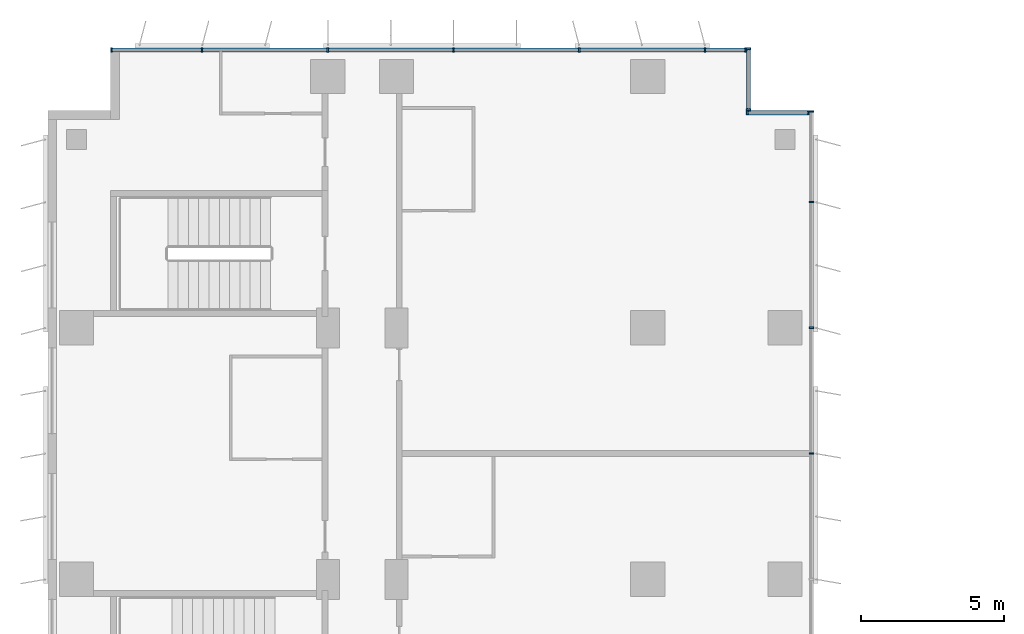
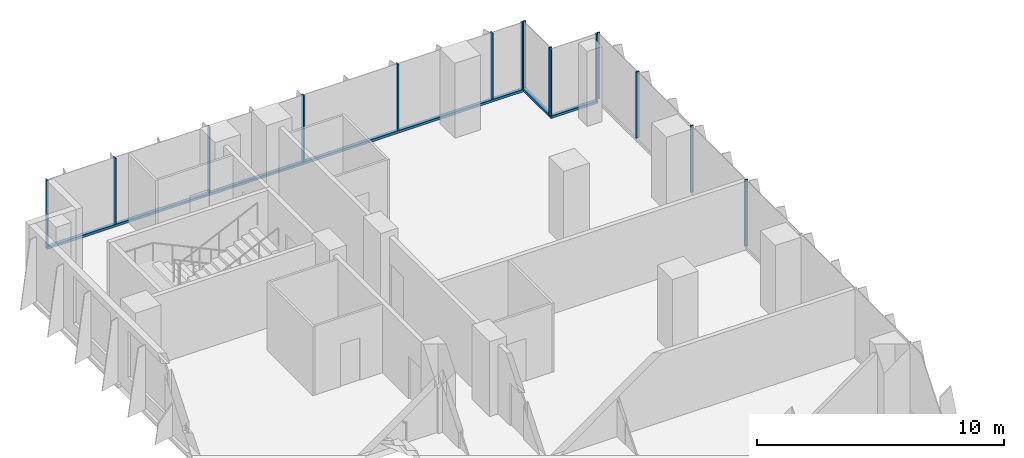
# One storey, part 9 of 22: 18 members, 4 elements without a shape of their own.
"""IFC4 building model written with IfcOpenShell, lengths in metres."""

from ifc_helpers import new_model, si_unit, direction, frame, origin, origin_2d, place, context, subcontext, project, spatial, rectangle, extrude, source, transform, mapped, material, material_profile, profile_set, type_object, element, aggregate, save


model = new_model("IFC4")

# Units and contexts
model_context = context("Model", 3, precision=1e-05, world=origin(), true_north=direction((0.0, 1.0)))
body_context = subcontext(model_context, "Body", "Model", "MODEL_VIEW")
ifc_project = project(units=[si_unit("LENGTHUNIT", "METRE"), si_unit("AREAUNIT", "SQUARE_METRE"), si_unit("VOLUMEUNIT", "CUBIC_METRE"), si_unit("PLANEANGLEUNIT", "RADIAN"), si_unit("MASSUNIT", "GRAM", prefix="KILO")], contexts=[model_context])

# Site, building, storey
site_placement = place(None, origin())
site = spatial("IfcSite", under=ifc_project, at=site_placement, CompositionType="ELEMENT")
building_placement = place(site_placement, origin())
building = spatial("IfcBuilding", under=site, at=building_placement, Name="Kemantara Hotel Tower", CompositionType="ELEMENT")
storey_placement = place(building_placement, frame((0.0, 0.0, 125.89990234375)))
storey = spatial("IfcBuildingStorey", under=building, at=storey_placement, Name="L30", CompositionType="ELEMENT", Elevation=125.89990234375)

# Curtain wall, member
ifc_material_1 = material(Name="Low-E tinted double insulated glass 36 mm", Category="glass")
curtain_wall_type = type_object("IfcCurtainWallType", Name="TOWER CURTAIN WALL, FRONT FACES", PredefinedType="USERDEFINED", material=ifc_material_1)
curtain_wall_1_placement = place(storey_placement, origin())
curtain_wall_1 = element("IfcCurtainWall", 1, at=curtain_wall_1_placement, inside=storey, type_object=curtain_wall_type, Name="CW4 L30 T2-R01-1", ObjectType="TOWER CURTAIN WALL, FRONT FACES", PredefinedType="USERDEFINED")
ifc_material_2 = material(Name="Aluminium 6063-T6 bronze anodised", Category="aluminium")
ifc_material_profile_1 = material_profile(ifc_material_2, rectangle(XDim=0.14990234375, YDim=0.1201171875, at=origin_2d()), Name="TOWER CURTAIN WALL, FRONT FACES TRANSOM")
ifc_profile_set_1 = profile_set([ifc_material_profile_1], Name="Aluminium 6063-T6 bronze anodised")
member_type_1 = type_object("IfcMemberType", Name="TOWER CURTAIN WALL, FRONT FACES TRANSOM", PredefinedType="USERDEFINED", material=ifc_profile_set_1)
member_1_placement = place(storey_placement, frame((24.449951171875, 81.125, 0.06005859375), z_axis=(-1.0, 0.0, 0.0), x_axis=(0.0, -1.0, 0.0)))
member_1 = element("IfcMember", 2, at=member_1_placement, type_object=member_type_1, Name="CW4 sill transom T2-R01-1", ObjectType="TRANSOM", PredefinedType="USERDEFINED", context=body_context, shape_type="SweptSolid", body=[
    extrude(rectangle(XDim=0.14990234375, YDim=0.1201171875, at=origin_2d()), origin(), (0.0, 0.0, 1.0), 22.25),
])

curtain_wall_2_placement = place(storey_placement, origin())
curtain_wall_2 = element("IfcCurtainWall", 3, at=curtain_wall_2_placement, inside=storey, type_object=curtain_wall_type, Name="CW4 L30 T2-R00-1", ObjectType="TOWER CURTAIN WALL, FRONT FACES", PredefinedType="USERDEFINED")
member_2_placement = place(storey_placement, frame((24.52490234375, 79.0, 0.06005859375), z_axis=(0.0, 1.0, 0.0), x_axis=(-1.0, 0.0, 0.0)))
member_2 = element("IfcMember", 4, at=member_2_placement, type_object=member_type_1, Name="CW4 sill transom T2-R00-1", ObjectType="TRANSOM", PredefinedType="USERDEFINED", context=body_context, shape_type="SweptSolid", body=[
    extrude(rectangle(XDim=0.14990234375, YDim=0.1201171875, at=origin_2d()), origin(), (0.0, 0.0, 1.0), 2.199951171875),
])

curtain_wall_3_placement = place(storey_placement, origin())
curtain_wall_3 = element("IfcCurtainWall", 5, at=curtain_wall_3_placement, inside=storey, type_object=curtain_wall_type, Name="CW4 L30 T2-R15-1", ObjectType="TOWER CURTAIN WALL, FRONT FACES", PredefinedType="USERDEFINED")
member_3_placement = place(storey_placement, frame((26.64990234375, 78.925048828125, 0.06005859375), z_axis=(-1.0, 0.0, 0.0), x_axis=(0.0, -1.0, 0.0)))
member_3 = element("IfcMember", 6, at=member_3_placement, type_object=member_type_1, Name="CW4 sill transom T2-R15-1", ObjectType="TRANSOM", PredefinedType="USERDEFINED", context=body_context, shape_type="SweptSolid", body=[
    extrude(rectangle(XDim=0.14990234375, YDim=0.1201171875, at=origin_2d()), origin(), (0.0, 0.0, 1.0), 2.199951171875),
])

# Member
ifc_material_profile_2 = material_profile(ifc_material_2, rectangle(XDim=0.14990234375, YDim=0.06005859375, at=origin_2d()), Name="TOWER CURTAIN WALL, FRONT FACES MULLION")
ifc_profile_set_2 = profile_set([ifc_material_profile_2], Name="Aluminium 6063-T6 bronze anodised")
member_type_2 = type_object("IfcMemberType", Name="TOWER CURTAIN WALL, FRONT FACES MULLION", PredefinedType="MULLION", material=ifc_profile_set_2)
shared_shape = source(origin(), body_context, "Body", "SweptSolid", [
    extrude(rectangle(XDim=0.14990234375, YDim=0.06005859375, at=origin_2d()), origin(), (0.0, 0.0, 1.0), 3.280029296875),
])
member_4_placement = place(storey_placement, frame((24.419921875, 81.125, 0.1201171875), z_axis=(0.0, 0.0, 1.0), x_axis=(0.0, -1.0, 0.0)))
member_4 = element("IfcMember", 7, at=member_4_placement, type_object=member_type_2, Name="CW4 mullion T2-R01-1.1", PredefinedType="MULLION", context=body_context, shape_type="MappedRepresentation", body=[
    mapped(shared_shape, transform((0.0, 0.0, 0.0))),
])

member_5_placement = place(storey_placement, frame((23.0, 81.125, 0.1201171875), z_axis=(0.0, 0.0, 1.0), x_axis=(0.0, -1.0, 0.0)))
member_5 = element("IfcMember", 8, at=member_5_placement, type_object=member_type_2, Name="CW4 mullion T2-R01-1.2", PredefinedType="MULLION", context=body_context, shape_type="MappedRepresentation", body=[
    mapped(shared_shape, transform((0.0, 0.0, 0.0))),
])

member_6_placement = place(storey_placement, frame((18.60009765625, 81.125, 0.1201171875), z_axis=(0.0, 0.0, 1.0), x_axis=(0.0, -1.0, 0.0)))
member_6 = element("IfcMember", 9, at=member_6_placement, type_object=member_type_2, Name="CW4 mullion T2-R01-1.3", PredefinedType="MULLION", context=body_context, shape_type="MappedRepresentation", body=[
    mapped(shared_shape, transform((0.0, 0.0, 0.0))),
])

member_7_placement = place(storey_placement, frame((14.199951171875, 81.125, 0.1201171875), z_axis=(0.0, 0.0, 1.0), x_axis=(0.0, -1.0, 0.0)))
member_7 = element("IfcMember", 10, at=member_7_placement, type_object=member_type_2, Name="CW4 mullion T2-R01-1.4", PredefinedType="MULLION", context=body_context, shape_type="MappedRepresentation", body=[
    mapped(shared_shape, transform((0.0, 0.0, 0.0))),
])

member_8_placement = place(storey_placement, frame((9.800048828125, 81.125, 0.1201171875), z_axis=(0.0, 0.0, 1.0), x_axis=(0.0, -1.0, 0.0)))
member_8 = element("IfcMember", 11, at=member_8_placement, type_object=member_type_2, Name="CW4 mullion T2-R01-1.5", PredefinedType="MULLION", context=body_context, shape_type="MappedRepresentation", body=[
    mapped(shared_shape, transform((0.0, 0.0, 0.0))),
])

member_9_placement = place(storey_placement, frame((5.39990234375, 81.125, 0.1201171875), z_axis=(0.0, 0.0, 1.0), x_axis=(0.0, -1.0, 0.0)))
member_9 = element("IfcMember", 12, at=member_9_placement, type_object=member_type_2, Name="CW4 mullion T2-R01-1.6", PredefinedType="MULLION", context=body_context, shape_type="MappedRepresentation", body=[
    mapped(shared_shape, transform((0.0, 0.0, 0.0))),
])

member_10_placement = place(storey_placement, frame((2.22998046875, 81.125, 0.1201171875), z_axis=(0.0, 0.0, 1.0), x_axis=(0.0, -1.0, 0.0)))
member_10 = element("IfcMember", 13, at=member_10_placement, type_object=member_type_2, Name="CW4 mullion T2-R01-1.7", PredefinedType="MULLION", context=body_context, shape_type="MappedRepresentation", body=[
    mapped(shared_shape, transform((0.0, 0.0, 0.0))),
])

aggregate(curtain_wall_1, [member_1, member_4, member_5, member_6, member_7, member_8, member_9, member_10])

# Curtain wall, members
curtain_wall_4_placement = place(storey_placement, origin())
curtain_wall_4 = element("IfcCurtainWall", 14, at=curtain_wall_4_placement, inside=storey, type_object=curtain_wall_type, Name="CW4 L30 T2-R14-1", ObjectType="TOWER CURTAIN WALL, FRONT FACES", PredefinedType="USERDEFINED")
member_11_placement = place(storey_placement, frame((26.72509765625, 67.0, 0.1201171875), z_axis=(0.0, 0.0, 1.0), x_axis=(-1.0, 0.0, 0.0)))
member_11 = element("IfcMember", 15, at=member_11_placement, type_object=member_type_2, Name="CW4 mullion T2-R14-1.12", PredefinedType="MULLION", context=body_context, shape_type="MappedRepresentation", body=[
    mapped(shared_shape, transform((0.0, 0.0, 0.0))),
])
member_12_placement = place(storey_placement, frame((26.72509765625, 71.39990234375, 0.1201171875), z_axis=(0.0, 0.0, 1.0), x_axis=(-1.0, 0.0, 0.0)))
member_12 = element("IfcMember", 16, at=member_12_placement, type_object=member_type_2, Name="CW4 mullion T2-R14-1.13", PredefinedType="MULLION", context=body_context, shape_type="MappedRepresentation", body=[
    mapped(shared_shape, transform((0.0, 0.0, 0.0))),
])
member_13_placement = place(storey_placement, frame((26.72509765625, 75.800048828125, 0.1201171875), z_axis=(0.0, 0.0, 1.0), x_axis=(-1.0, 0.0, 0.0)))
member_13 = element("IfcMember", 17, at=member_13_placement, type_object=member_type_2, Name="CW4 mullion T2-R14-1.14", PredefinedType="MULLION", context=body_context, shape_type="MappedRepresentation", body=[
    mapped(shared_shape, transform((0.0, 0.0, 0.0))),
])
member_14_placement = place(storey_placement, frame((26.72509765625, 78.969970703125, 0.1201171875), z_axis=(0.0, 0.0, 1.0), x_axis=(-1.0, 0.0, 0.0)))
member_14 = element("IfcMember", 18, at=member_14_placement, type_object=member_type_2, Name="CW4 mullion T2-R14-1.15", PredefinedType="MULLION", context=body_context, shape_type="MappedRepresentation", body=[
    mapped(shared_shape, transform((0.0, 0.0, 0.0))),
])
aggregate(curtain_wall_4, [member_11, member_12, member_13, member_14])

# Member
member_15_placement = place(storey_placement, frame((24.52490234375, 79.030029296875, 0.1201171875), z_axis=(0.0, 0.0, 1.0), x_axis=(-1.0, 0.0, 0.0)))
member_15 = element("IfcMember", 19, at=member_15_placement, type_object=member_type_2, Name="CW4 mullion T2-R00-1.1", PredefinedType="MULLION", context=body_context, shape_type="MappedRepresentation", body=[
    mapped(shared_shape, transform((0.0, 0.0, 0.0))),
])

member_16_placement = place(storey_placement, frame((24.52490234375, 81.169921875, 0.1201171875), z_axis=(0.0, 0.0, 1.0), x_axis=(-1.0, 0.0, 0.0)))
member_16 = element("IfcMember", 20, at=member_16_placement, type_object=member_type_2, Name="CW4 mullion T2-R00-1.2", PredefinedType="MULLION", context=body_context, shape_type="MappedRepresentation", body=[
    mapped(shared_shape, transform((0.0, 0.0, 0.0))),
])

aggregate(curtain_wall_2, [member_2, member_15, member_16])

member_17_placement = place(storey_placement, frame((26.6201171875, 78.925048828125, 0.1201171875), z_axis=(0.0, 0.0, 1.0), x_axis=(0.0, -1.0, 0.0)))
member_17 = element("IfcMember", 21, at=member_17_placement, type_object=member_type_2, Name="CW4 mullion T2-R15-1.1", PredefinedType="MULLION", context=body_context, shape_type="MappedRepresentation", body=[
    mapped(shared_shape, transform((0.0, 0.0, 0.0))),
])

member_18_placement = place(storey_placement, frame((24.47998046875, 78.925048828125, 0.1201171875), z_axis=(0.0, 0.0, 1.0), x_axis=(0.0, -1.0, 0.0)))
member_18 = element("IfcMember", 22, at=member_18_placement, type_object=member_type_2, Name="CW4 mullion T2-R15-1.2", PredefinedType="MULLION", context=body_context, shape_type="MappedRepresentation", body=[
    mapped(shared_shape, transform((0.0, 0.0, 0.0))),
])

aggregate(curtain_wall_3, [member_3, member_17, member_18])

save(model, "model.ifc")
